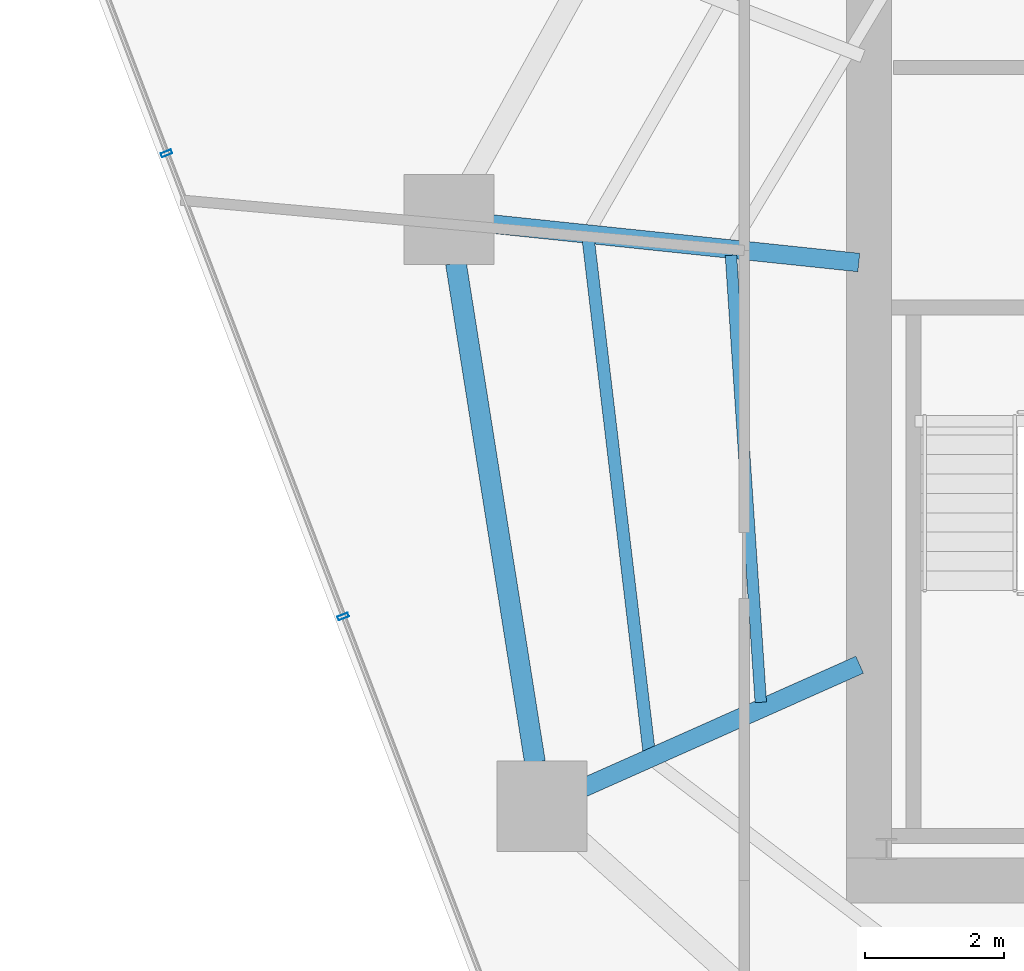
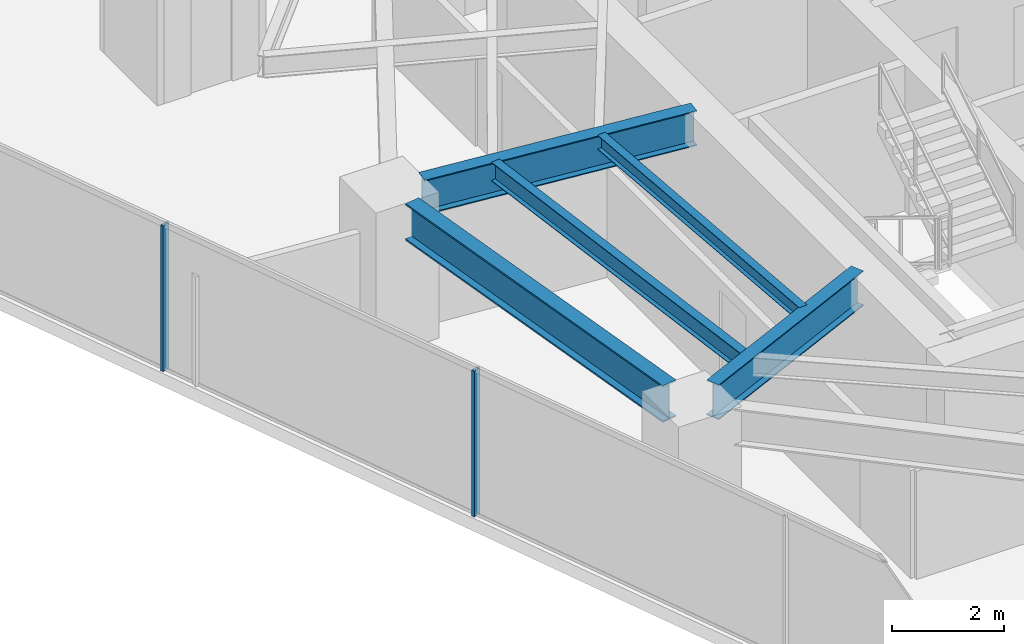
# One storey, part 7 of 31: 5 beams, 2 members, 1 element without a shape of its own.
"""IFC4 building model written with IfcOpenShell, lengths in metres."""

from ifc_helpers import new_model, si_unit, direction, frame, origin, origin_2d, place, context, subcontext, project, spatial, hollow_rectangle, i_section, extrude, material, layer, layer_set, material_profile, profile_set, type_object, element, aggregate, save


model = new_model("IFC4")

# Units and contexts
model_context = context("Model", 3, precision=1e-05, world=origin(), true_north=direction((0.0, 1.0)))
body_context = subcontext(model_context, "Body", "Model", "MODEL_VIEW")
ifc_project = project(units=[si_unit("LENGTHUNIT", "METRE"), si_unit("AREAUNIT", "SQUARE_METRE"), si_unit("VOLUMEUNIT", "CUBIC_METRE"), si_unit("PLANEANGLEUNIT", "RADIAN"), si_unit("MASSUNIT", "GRAM", prefix="KILO")], contexts=[model_context])

# Site, building, storey
site_placement = place(None, origin())
site = spatial("IfcSite", under=ifc_project, at=site_placement, CompositionType="ELEMENT")
building_placement = place(site_placement, origin())
building = spatial("IfcBuilding", under=site, at=building_placement, Name="Qarnah Convention Tower", CompositionType="ELEMENT")
storey_placement = place(building_placement, frame((0.0, 0.0, 33.89990234375)))
storey = spatial("IfcBuildingStorey", under=building, at=storey_placement, Name="L07", CompositionType="ELEMENT", Elevation=33.89990234375)

# Beams
ifc_material_1 = material(Name="Structural steel S355JR", Category="steel")
ifc_material_profile_1 = material_profile(ifc_material_1, i_section(OverallWidth=0.166015625, OverallDepth=0.31201171875, WebThickness=0.007080078125, FlangeThickness=0.010986328125, at=origin_2d()), Name="W310X45")
ifc_profile_set_1 = profile_set([ifc_material_profile_1], Name="Structural steel S355JR")
beam_type_1 = type_object("IfcBeamType", Name="BM-JST-W310", PredefinedType="JOIST", material=ifc_profile_set_1)
beam_1_placement = place(storey_placement, frame((24.806884765625, 27.613037109375, 3.01416015625), z_axis=(0.066586732153, -0.997780640773, 0.0), x_axis=(0.997780640773, 0.066586732153, 0.0)))
element("IfcBeam", 1, at=beam_1_placement, inside=storey, type_object=beam_type_1, Name="L07 joist BM-L07-IJST-05", PredefinedType="JOIST", context=body_context, shape_type="SweptSolid", body=[
    extrude(i_section(OverallWidth=0.166015625, OverallDepth=0.31201171875, WebThickness=0.007080078125, FlangeThickness=0.010986328125, at=origin_2d()), origin(), (0.0, 0.0, 1.0), 6.46044921875),
])
ifc_material_profile_2 = material_profile(ifc_material_1, i_section(OverallWidth=0.177978515625, OverallDepth=0.407958984375, WebThickness=0.008056640625, FlangeThickness=0.012939453125, at=origin_2d()), Name="W410X60")
ifc_profile_set_2 = profile_set([ifc_material_profile_2], Name="Structural steel S355JR")
beam_type_2 = type_object("IfcBeamType", Name="BM-JST-W410", PredefinedType="JOIST", material=ifc_profile_set_2)
beam_2_placement = place(storey_placement, frame((22.7509765625, 27.8310546875, 2.966064453125), z_axis=(0.117866605608, -0.993029437269, 0.0), x_axis=(0.993029437269, 0.117866605608, 0.0)))
element("IfcBeam", 2, at=beam_2_placement, inside=storey, type_object=beam_type_2, Name="L07 joist BM-L07-SJST-05", PredefinedType="JOIST", context=body_context, shape_type="SweptSolid", body=[
    extrude(i_section(OverallWidth=0.177978515625, OverallDepth=0.407958984375, WebThickness=0.008056640625, FlangeThickness=0.012939453125, at=origin_2d()), origin(), (0.0, 0.0, 1.0), 7.431884765625),
])
ifc_material_profile_3 = material_profile(ifc_material_1, i_section(OverallWidth=0.26806640625, OverallDepth=0.760009765625, WebThickness=0.014892578125, FlangeThickness=0.02197265625, at=origin_2d()), Name="W760X185")
ifc_profile_set_3 = profile_set([ifc_material_profile_3], Name="Structural steel S355JR")
beam_type_3 = type_object("IfcBeamType", Name="BM-RAD-W760", PredefinedType="BEAM", material=ifc_profile_set_3)
beam_3_placement = place(storey_placement, frame((26.65087890625, 27.509033203125, 2.7900390625), z_axis=(-0.99452834613, 0.10446707014, 0.0), x_axis=(-0.10446707014, -0.99452834613, 0.0)))
element("IfcBeam", 3, at=beam_3_placement, inside=storey, type_object=beam_type_3, Name="L07 beam BM-L07-RAD-05", PredefinedType="BEAM", context=body_context, shape_type="SweptSolid", body=[
    extrude(i_section(OverallWidth=0.26806640625, OverallDepth=0.760009765625, WebThickness=0.014892578125, FlangeThickness=0.02197265625, at=origin_2d()), origin(), (0.0, 0.0, 1.0), 5.31201171875),
])
beam_4_placement = place(storey_placement, frame((26.6630859375, 21.708984375, 2.7900390625), z_axis=(-0.913519753242, -0.406794371195, 0.0), x_axis=(0.406794371195, -0.913519753242, 0.0)))
element("IfcBeam", 4, at=beam_4_placement, inside=storey, type_object=beam_type_3, Name="L07 beam BM-L07-RAD-06", PredefinedType="BEAM", context=body_context, shape_type="SweptSolid", body=[
    extrude(i_section(OverallWidth=0.26806640625, OverallDepth=0.760009765625, WebThickness=0.014892578125, FlangeThickness=0.02197265625, at=origin_2d()), origin(), (0.0, 0.0, 1.0), 4.38525390625),
])
ifc_material_profile_4 = material_profile(ifc_material_1, i_section(OverallWidth=0.300048828125, OverallDepth=0.800048828125, WebThickness=0.01806640625, FlangeThickness=0.032958984375, at=origin_2d()), Name="HEB800")
ifc_profile_set_4 = profile_set([ifc_material_profile_4], Name="Structural steel S355JR")
beam_type_4 = type_object("IfcBeamType", Name="BM-RING-HEB800", PredefinedType="BEAM", material=ifc_profile_set_4)
beam_5_placement = place(storey_placement, frame((20.841064453125, 27.498046875, 2.77001953125), z_axis=(0.156433977502, -0.987688417814, 0.0), x_axis=(0.987688417814, 0.156433977502, 0.0)))
element("IfcBeam", 5, at=beam_5_placement, inside=storey, type_object=beam_type_4, Name="L07 beam BM-L07-SPN-05", PredefinedType="BEAM", context=body_context, shape_type="SweptSolid", body=[
    extrude(i_section(OverallWidth=0.300048828125, OverallDepth=0.800048828125, WebThickness=0.01806640625, FlangeThickness=0.032958984375, at=origin_2d()), origin(), (0.0, 0.0, 1.0), 7.28662109375),
])

# Curtain wall, members
ifc_material_2 = material(Name="Tempered Low-E dark glass", Category="glass")
ifc_layer = layer(ifc_material_2, 0.16796875)
ifc_layer_set = layer_set([ifc_layer], Name="Tempered Low-E dark glass")
curtain_wall_type = type_object("IfcCurtainWallType", Name="CWS-01", PredefinedType="NOTDEFINED", material=ifc_layer_set)
curtain_wall_placement = place(storey_placement, origin())
curtain_wall = element("IfcCurtainWall", 6, at=curtain_wall_placement, inside=storey, type_object=curtain_wall_type, Name="L07 unitised curtain wall CW-L07-F2", PredefinedType="NOTDEFINED")
ifc_material_3 = material(Name="Black anodised aluminium", Category="aluminium")
ifc_material_profile_5 = material_profile(ifc_material_3, hollow_rectangle(XDim=0.06005859375, YDim=0.159912109375, WallThickness=0.00390625, at=origin_2d()), Name="MUL-60X160")
ifc_profile_set_5 = profile_set([ifc_material_profile_5], Name="Black anodised aluminium")
member_type = type_object("IfcMemberType", Name="MUL-T1", PredefinedType="MULLION", material=ifc_profile_set_5)
member_1_placement = place(storey_placement, frame((19.215087890625, 22.404296875, 0.0), z_axis=(0.0, 0.0, 1.0), x_axis=(-0.356416493623, 0.934327182027, 0.0)))
member_1 = element("IfcMember", 7, at=member_1_placement, type_object=member_type, Name="CW-L07-F2 mullion 4", PredefinedType="MULLION", context=body_context, shape_type="SweptSolid", body=[
    extrude(hollow_rectangle(XDim=0.06005859375, YDim=0.159912109375, WallThickness=0.00390625, at=origin_2d()), origin(), (0.0, 0.0, 1.0), 3.170166015625),
])
member_2_placement = place(storey_placement, frame((16.66748046875, 29.08251953125, 0.0), z_axis=(0.0, 0.0, 1.0), x_axis=(-0.356416493623, 0.934327182027, 0.0)))
member_2 = element("IfcMember", 8, at=member_2_placement, type_object=member_type, Name="CW-L07-F2 mullion 5", PredefinedType="MULLION", context=body_context, shape_type="SweptSolid", body=[
    extrude(hollow_rectangle(XDim=0.06005859375, YDim=0.159912109375, WallThickness=0.00390625, at=origin_2d()), origin(), (0.0, 0.0, 1.0), 3.170166015625),
])
aggregate(curtain_wall, [member_1, member_2])

save(model, "model.ifc")
